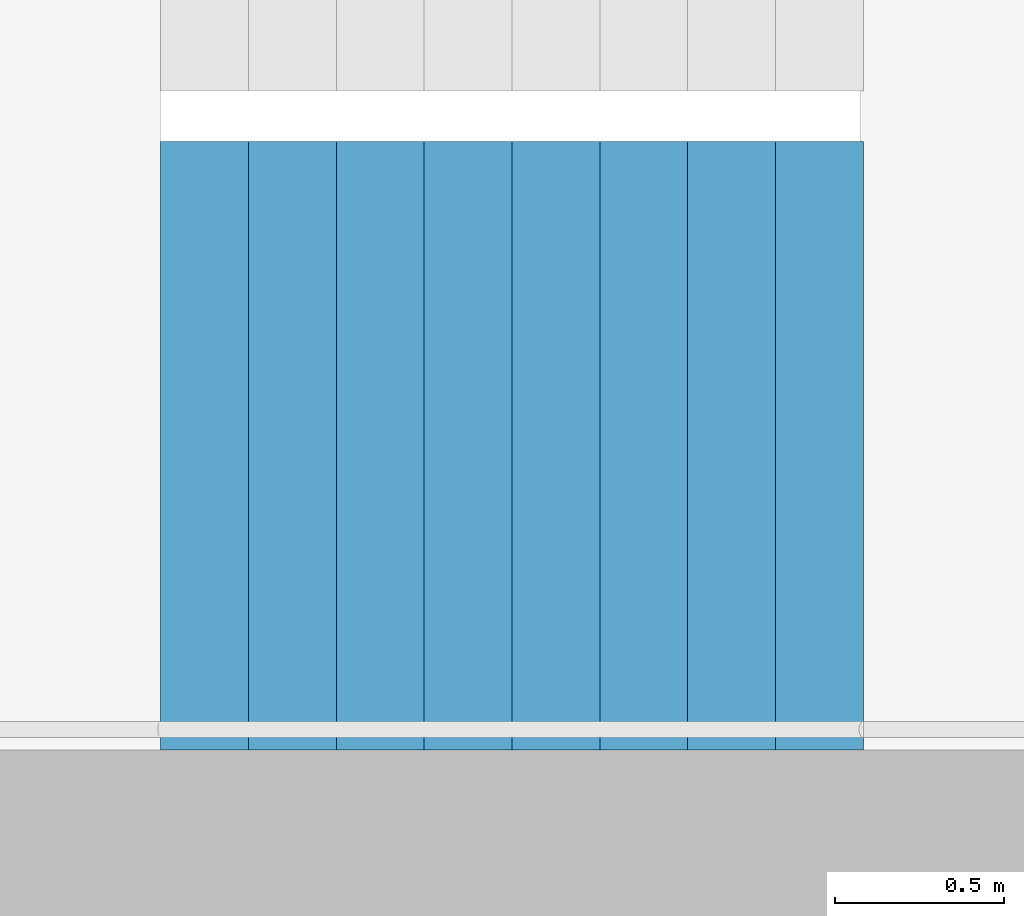
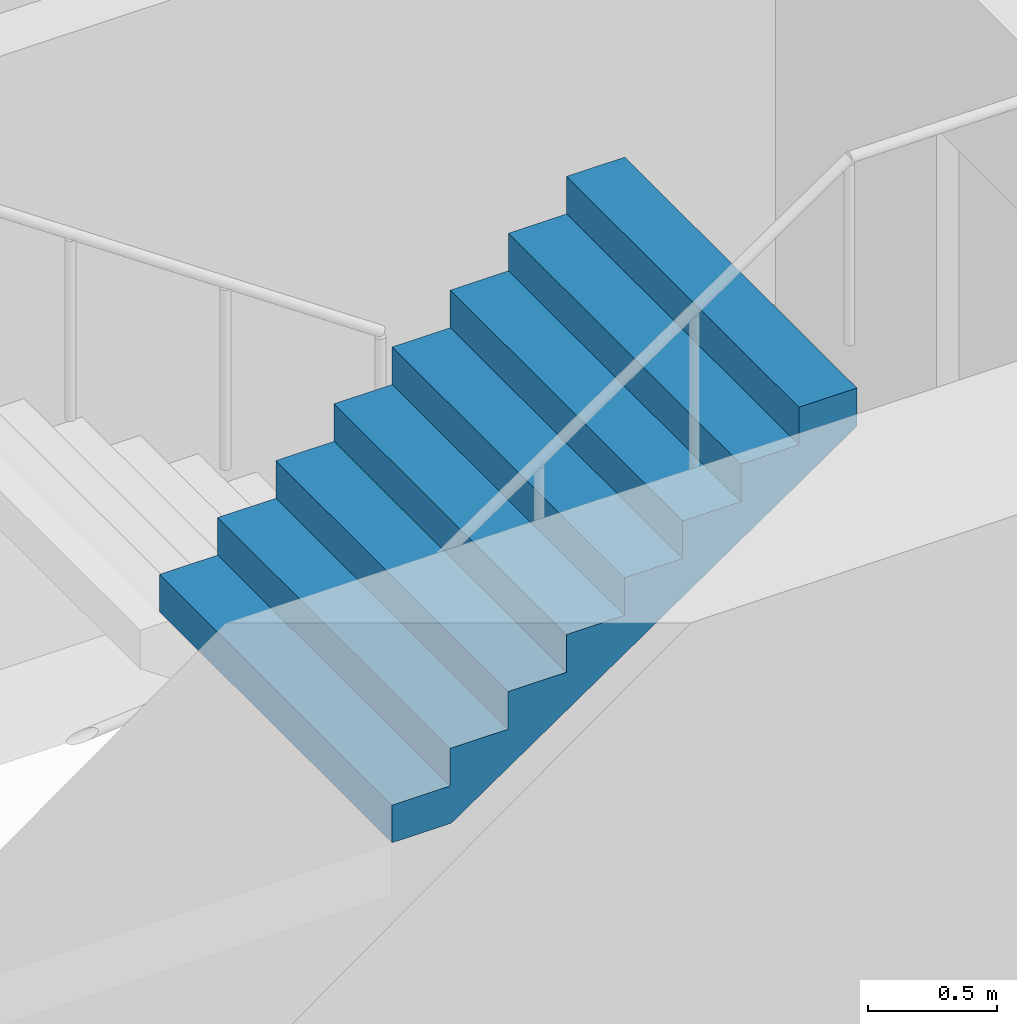
# One storey, part 18 of 26: 1 stair flight, 1 element without a shape of its own.
"""IFC4 building model written with IfcOpenShell, lengths in metres."""

from ifc_helpers import new_model, si_unit, direction, frame, origin, place, context, subcontext, project, spatial, triangles, material, type_object, element, aggregate, save


model = new_model("IFC4")

# Units and contexts
model_context = context("Model", 3, precision=1e-05, world=origin(), true_north=direction((0.0, 1.0)))
body_context = subcontext(model_context, "Body", "Model", "MODEL_VIEW")
ifc_project = project(units=[si_unit("LENGTHUNIT", "METRE"), si_unit("AREAUNIT", "SQUARE_METRE"), si_unit("VOLUMEUNIT", "CUBIC_METRE"), si_unit("PLANEANGLEUNIT", "RADIAN"), si_unit("MASSUNIT", "GRAM", prefix="KILO")], contexts=[model_context])

# Site, building, storey
site_placement = place(None, origin())
site = spatial("IfcSite", under=ifc_project, at=site_placement, CompositionType="ELEMENT")
building_placement = place(site_placement, origin())
building = spatial("IfcBuilding", under=site, at=building_placement, Name="Hakoniwa Tower and Hamabe Station Hall", CompositionType="ELEMENT")
storey_placement = place(building_placement, frame((0.0, 0.0, 225.0)))
storey = spatial("IfcBuildingStorey", under=building, at=storey_placement, Name="L64", CompositionType="ELEMENT", Elevation=225.0)

# Stair, stair flight
ifc_material_1 = material(Name="Concrete C40", Category="concrete")
stair_type = type_object("IfcStairType", Name="ESCAPE STAIR 1800", PredefinedType="HALF_TURN_STAIR", material=ifc_material_1)
stair_placement = place(storey_placement, origin())
stair = element("IfcStair", 1, at=stair_placement, inside=storey, type_object=stair_type, Name="Escape stair ST-2 L64", PredefinedType="HALF_TURN_STAIR")
ifc_material_2 = material(Name="Concrete C40", Category="concrete")
stair_flight_type = type_object("IfcStairFlightType", Name="STAIR FLIGHT 1800", PredefinedType="STRAIGHT", material=ifc_material_2)
stair_flight_placement = place(storey_placement, frame((-25.47998046875, -6.60009765625, 1.60009765625), z_axis=(0.0, 0.0, 1.0), x_axis=(1.0, 0.0, 0.0)))
stair_flight = element("IfcStairFlight", 2, at=stair_flight_placement, type_object=stair_flight_type, Name="ST-2 flight 2", NumberOfRisers=9, NumberOfTreads=8, PredefinedType="STRAIGHT", RiserHeight=0.177777778, TreadLength=0.26, context=body_context, shape_type="Tessellation", body=[
    triangles([(0.0, 0.89990234375, 0.0), (0.260009765625, 0.89990234375, 0.0), (0.265625, 0.89990234375, 0.0), (0.52001953125, 0.89990234375, 0.174072265625), (0.780029296875, 0.89990234375, 0.351806640625), (1.0400390625, 0.89990234375, 0.529541015625), (1.300048828125, 0.89990234375, 0.707275390625), (1.56005859375, 0.89990234375, 0.885009765625), (1.820068359375, 0.89990234375, 1.062744140625), (2.080078125, 0.89990234375, 1.24072265625), (2.080078125, 0.89990234375, 1.422119140625), (1.820068359375, 0.89990234375, 1.422119140625), (1.820068359375, 0.89990234375, 1.244384765625), (1.56005859375, 0.89990234375, 1.244384765625), (1.56005859375, 0.89990234375, 1.066650390625), (1.300048828125, 0.89990234375, 1.066650390625), (1.300048828125, 0.89990234375, 0.888916015625), (1.0400390625, 0.89990234375, 0.888916015625), (1.0400390625, 0.89990234375, 0.711181640625), (0.780029296875, 0.89990234375, 0.711181640625), (0.780029296875, 0.89990234375, 0.533447265625), (0.52001953125, 0.89990234375, 0.533447265625), (0.52001953125, 0.89990234375, 0.35546875), (0.265625, 0.89990234375, 0.35546875), (0.260009765625, 0.89990234375, 0.35546875), (0.260009765625, 0.89990234375, 0.177734375), (0.0, 0.89990234375, 0.177734375), (0.0, 0.06005859375, 0.0), (0.260009765625, 0.06005859375, 0.0), (0.265625, 0.06005859375, 0.0), (0.52001953125, 0.06005859375, 0.174072265625), (0.780029296875, 0.06005859375, 0.351806640625), (1.0400390625, 0.06005859375, 0.529541015625), (1.300048828125, 0.06005859375, 0.707275390625), (1.56005859375, 0.06005859375, 0.885009765625), (1.820068359375, 0.06005859375, 1.062744140625), (2.080078125, 0.06005859375, 1.24072265625), (2.080078125, 0.06005859375, 1.422119140625), (1.820068359375, 0.06005859375, 1.422119140625), (1.820068359375, 0.06005859375, 1.244384765625), (1.56005859375, 0.06005859375, 1.244384765625), (1.56005859375, 0.06005859375, 1.066650390625), (1.300048828125, 0.06005859375, 1.066650390625), (1.300048828125, 0.06005859375, 0.888916015625), (1.0400390625, 0.06005859375, 0.888916015625), (1.0400390625, 0.06005859375, 0.711181640625), (0.780029296875, 0.06005859375, 0.711181640625), (0.780029296875, 0.06005859375, 0.533447265625), (0.52001953125, 0.06005859375, 0.533447265625), (0.52001953125, 0.06005859375, 0.35546875), (0.265625, 0.06005859375, 0.35546875), (0.260009765625, 0.06005859375, 0.35546875), (0.260009765625, 0.06005859375, 0.177734375), (0.0, 0.06005859375, 0.177734375), (0.0, 0.04296875, 0.0), (0.260009765625, 0.04296875, 0.0), (0.265625, 0.04296875, 0.0), (0.52001953125, 0.04296875, 0.174072265625), (0.780029296875, 0.04296875, 0.351806640625), (1.0400390625, 0.04296875, 0.529541015625), (1.300048828125, 0.04296875, 0.707275390625), (1.56005859375, 0.04296875, 0.885009765625), (1.820068359375, 0.04296875, 1.062744140625), (2.080078125, 0.04296875, 1.24072265625), (2.080078125, 0.04296875, 1.422119140625), (1.820068359375, 0.04296875, 1.422119140625), (1.820068359375, 0.04296875, 1.244384765625), (1.56005859375, 0.04296875, 1.244384765625), (1.56005859375, 0.04296875, 1.066650390625), (1.300048828125, 0.04296875, 1.066650390625), (1.300048828125, 0.04296875, 0.888916015625), (1.0400390625, 0.04296875, 0.888916015625), (1.0400390625, 0.04296875, 0.711181640625), (0.780029296875, 0.04296875, 0.711181640625), (0.780029296875, 0.04296875, 0.533447265625), (0.52001953125, 0.04296875, 0.533447265625), (0.52001953125, 0.04296875, 0.35546875), (0.265625, 0.04296875, 0.35546875), (0.260009765625, 0.04296875, 0.35546875), (0.260009765625, 0.04296875, 0.177734375), (0.0, 0.04296875, 0.177734375), (0.0, 0.025634765625, 0.0), (0.260009765625, 0.025634765625, 0.0), (0.265625, 0.025634765625, 0.0), (0.52001953125, 0.025634765625, 0.174072265625), (0.780029296875, 0.025634765625, 0.351806640625), (1.0400390625, 0.025634765625, 0.529541015625), (1.300048828125, 0.025634765625, 0.707275390625), (1.56005859375, 0.025634765625, 0.885009765625), (1.820068359375, 0.025634765625, 1.062744140625), (2.080078125, 0.025634765625, 1.24072265625), (2.080078125, 0.025634765625, 1.422119140625), (1.820068359375, 0.025634765625, 1.422119140625), (1.820068359375, 0.025634765625, 1.244384765625), (1.56005859375, 0.025634765625, 1.244384765625), (1.56005859375, 0.025634765625, 1.066650390625), (1.300048828125, 0.025634765625, 1.066650390625), (1.300048828125, 0.025634765625, 0.888916015625), (1.0400390625, 0.025634765625, 0.888916015625), (1.0400390625, 0.025634765625, 0.711181640625), (0.780029296875, 0.025634765625, 0.711181640625), (0.780029296875, 0.025634765625, 0.533447265625), (0.52001953125, 0.025634765625, 0.533447265625), (0.52001953125, 0.025634765625, 0.35546875), (0.265625, 0.025634765625, 0.35546875), (0.260009765625, 0.025634765625, 0.35546875), (0.260009765625, 0.025634765625, 0.177734375), (0.0, 0.025634765625, 0.177734375), (0.0, 0.008544921875, 0.0), (0.260009765625, 0.008544921875, 0.0), (0.265625, 0.008544921875, 0.0), (0.52001953125, 0.008544921875, 0.174072265625), (0.780029296875, 0.008544921875, 0.351806640625), (1.0400390625, 0.008544921875, 0.529541015625), (1.300048828125, 0.008544921875, 0.707275390625), (1.56005859375, 0.008544921875, 0.885009765625), (1.820068359375, 0.008544921875, 1.062744140625), (2.080078125, 0.008544921875, 1.24072265625), (2.080078125, 0.008544921875, 1.422119140625), (1.820068359375, 0.008544921875, 1.422119140625), (1.820068359375, 0.008544921875, 1.244384765625), (1.56005859375, 0.008544921875, 1.244384765625), (1.56005859375, 0.008544921875, 1.066650390625), (1.300048828125, 0.008544921875, 1.066650390625), (1.300048828125, 0.008544921875, 0.888916015625), (1.0400390625, 0.008544921875, 0.888916015625), (1.0400390625, 0.008544921875, 0.711181640625), (0.780029296875, 0.008544921875, 0.711181640625), (0.780029296875, 0.008544921875, 0.533447265625), (0.52001953125, 0.008544921875, 0.533447265625), (0.52001953125, 0.008544921875, 0.35546875), (0.265625, 0.008544921875, 0.35546875), (0.260009765625, 0.008544921875, 0.35546875), (0.260009765625, 0.008544921875, 0.177734375), (0.0, 0.008544921875, 0.177734375), (0.0, -0.008544921875, 0.0), (0.260009765625, -0.008544921875, 0.0), (0.265625, -0.008544921875, 0.0), (0.52001953125, -0.008544921875, 0.174072265625), (0.780029296875, -0.008544921875, 0.351806640625), (1.0400390625, -0.008544921875, 0.529541015625), (1.300048828125, -0.008544921875, 0.707275390625), (1.56005859375, -0.008544921875, 0.885009765625), (1.820068359375, -0.008544921875, 1.062744140625), (2.080078125, -0.008544921875, 1.24072265625), (2.080078125, -0.008544921875, 1.422119140625), (1.820068359375, -0.008544921875, 1.422119140625), (1.820068359375, -0.008544921875, 1.244384765625), (1.56005859375, -0.008544921875, 1.244384765625), (1.56005859375, -0.008544921875, 1.066650390625), (1.300048828125, -0.008544921875, 1.066650390625), (1.300048828125, -0.008544921875, 0.888916015625), (1.0400390625, -0.008544921875, 0.888916015625), (1.0400390625, -0.008544921875, 0.711181640625), (0.780029296875, -0.008544921875, 0.711181640625), (0.780029296875, -0.008544921875, 0.533447265625), (0.52001953125, -0.008544921875, 0.533447265625), (0.52001953125, -0.008544921875, 0.35546875), (0.265625, -0.008544921875, 0.35546875), (0.260009765625, -0.008544921875, 0.35546875), (0.260009765625, -0.008544921875, 0.177734375), (0.0, -0.008544921875, 0.177734375), (0.0, -0.025634765625, 0.0), (0.260009765625, -0.025634765625, 0.0), (0.265625, -0.025634765625, 0.0), (0.52001953125, -0.025634765625, 0.174072265625), (0.780029296875, -0.025634765625, 0.351806640625), (1.0400390625, -0.025634765625, 0.529541015625), (1.300048828125, -0.025634765625, 0.707275390625), (1.56005859375, -0.025634765625, 0.885009765625), (1.820068359375, -0.025634765625, 1.062744140625), (2.080078125, -0.025634765625, 1.24072265625), (2.080078125, -0.025634765625, 1.422119140625), (1.820068359375, -0.025634765625, 1.422119140625), (1.820068359375, -0.025634765625, 1.244384765625), (1.56005859375, -0.025634765625, 1.244384765625), (1.56005859375, -0.025634765625, 1.066650390625), (1.300048828125, -0.025634765625, 1.066650390625), (1.300048828125, -0.025634765625, 0.888916015625), (1.0400390625, -0.025634765625, 0.888916015625), (1.0400390625, -0.025634765625, 0.711181640625), (0.780029296875, -0.025634765625, 0.711181640625), (0.780029296875, -0.025634765625, 0.533447265625), (0.52001953125, -0.025634765625, 0.533447265625), (0.52001953125, -0.025634765625, 0.35546875), (0.265625, -0.025634765625, 0.35546875), (0.260009765625, -0.025634765625, 0.35546875), (0.260009765625, -0.025634765625, 0.177734375), (0.0, -0.025634765625, 0.177734375), (0.0, -0.04296875, 0.0), (0.260009765625, -0.04296875, 0.0), (0.265625, -0.04296875, 0.0), (0.52001953125, -0.04296875, 0.174072265625), (0.780029296875, -0.04296875, 0.351806640625), (1.0400390625, -0.04296875, 0.529541015625), (1.300048828125, -0.04296875, 0.707275390625), (1.56005859375, -0.04296875, 0.885009765625), (1.820068359375, -0.04296875, 1.062744140625), (2.080078125, -0.04296875, 1.24072265625), (2.080078125, -0.04296875, 1.422119140625), (1.820068359375, -0.04296875, 1.422119140625), (1.820068359375, -0.04296875, 1.244384765625), (1.56005859375, -0.04296875, 1.244384765625), (1.56005859375, -0.04296875, 1.066650390625), (1.300048828125, -0.04296875, 1.066650390625), (1.300048828125, -0.04296875, 0.888916015625), (1.0400390625, -0.04296875, 0.888916015625), (1.0400390625, -0.04296875, 0.711181640625), (0.780029296875, -0.04296875, 0.711181640625), (0.780029296875, -0.04296875, 0.533447265625), (0.52001953125, -0.04296875, 0.533447265625), (0.52001953125, -0.04296875, 0.35546875), (0.265625, -0.04296875, 0.35546875), (0.260009765625, -0.04296875, 0.35546875), (0.260009765625, -0.04296875, 0.177734375), (0.0, -0.04296875, 0.177734375), (0.0, -0.06005859375, 0.0), (0.260009765625, -0.06005859375, 0.0), (0.265625, -0.06005859375, 0.0), (0.52001953125, -0.06005859375, 0.174072265625), (0.780029296875, -0.06005859375, 0.351806640625), (1.0400390625, -0.06005859375, 0.529541015625), (1.300048828125, -0.06005859375, 0.707275390625), (1.56005859375, -0.06005859375, 0.885009765625), (1.820068359375, -0.06005859375, 1.062744140625), (2.080078125, -0.06005859375, 1.24072265625), (2.080078125, -0.06005859375, 1.422119140625), (1.820068359375, -0.06005859375, 1.422119140625), (1.820068359375, -0.06005859375, 1.244384765625), (1.56005859375, -0.06005859375, 1.244384765625), (1.56005859375, -0.06005859375, 1.066650390625), (1.300048828125, -0.06005859375, 1.066650390625), (1.300048828125, -0.06005859375, 0.888916015625), (1.0400390625, -0.06005859375, 0.888916015625), (1.0400390625, -0.06005859375, 0.711181640625), (0.780029296875, -0.06005859375, 0.711181640625), (0.780029296875, -0.06005859375, 0.533447265625), (0.52001953125, -0.06005859375, 0.533447265625), (0.52001953125, -0.06005859375, 0.35546875), (0.265625, -0.06005859375, 0.35546875), (0.260009765625, -0.06005859375, 0.35546875), (0.260009765625, -0.06005859375, 0.177734375), (0.0, -0.06005859375, 0.177734375), (0.0, -0.89990234375, 0.0), (0.260009765625, -0.89990234375, 0.0), (0.265625, -0.89990234375, 0.0), (0.52001953125, -0.89990234375, 0.174072265625), (0.780029296875, -0.89990234375, 0.351806640625), (1.0400390625, -0.89990234375, 0.529541015625), (1.300048828125, -0.89990234375, 0.707275390625), (1.56005859375, -0.89990234375, 0.885009765625), (1.820068359375, -0.89990234375, 1.062744140625), (2.080078125, -0.89990234375, 1.24072265625), (2.080078125, -0.89990234375, 1.422119140625), (1.820068359375, -0.89990234375, 1.422119140625), (1.820068359375, -0.89990234375, 1.244384765625), (1.56005859375, -0.89990234375, 1.244384765625), (1.56005859375, -0.89990234375, 1.066650390625), (1.300048828125, -0.89990234375, 1.066650390625), (1.300048828125, -0.89990234375, 0.888916015625), (1.0400390625, -0.89990234375, 0.888916015625), (1.0400390625, -0.89990234375, 0.711181640625), (0.780029296875, -0.89990234375, 0.711181640625), (0.780029296875, -0.89990234375, 0.533447265625), (0.52001953125, -0.89990234375, 0.533447265625), (0.52001953125, -0.89990234375, 0.35546875), (0.265625, -0.89990234375, 0.35546875), (0.260009765625, -0.89990234375, 0.35546875), (0.260009765625, -0.89990234375, 0.177734375), (0.0, -0.89990234375, 0.177734375)], [[2, 27, 26], [245, 269, 270], [2, 1, 27], [245, 270, 244], [3, 25, 24], [246, 267, 268], [3, 26, 25], [246, 268, 269], [3, 2, 26], [246, 269, 245], [4, 24, 23], [247, 266, 267], [4, 3, 24], [247, 267, 246], [5, 22, 21], [248, 264, 265], [5, 23, 22], [248, 265, 266], [5, 4, 23], [248, 266, 247], [6, 20, 19], [249, 262, 263], [6, 21, 20], [249, 263, 264], [6, 5, 21], [249, 264, 248], [7, 18, 17], [250, 260, 261], [7, 19, 18], [250, 261, 262], [7, 6, 19], [250, 262, 249], [8, 16, 15], [251, 258, 259], [8, 17, 16], [251, 259, 260], [8, 7, 17], [251, 260, 250], [9, 14, 13], [252, 256, 257], [9, 15, 14], [252, 257, 258], [9, 8, 15], [252, 258, 251], [10, 12, 11], [253, 254, 255], [10, 13, 12], [253, 255, 256], [10, 9, 13], [253, 256, 252], [1, 2, 29], [1, 29, 28], [28, 29, 56], [28, 56, 55], [55, 56, 83], [55, 83, 82], [82, 83, 110], [82, 110, 109], [109, 110, 137], [109, 137, 136], [136, 137, 164], [136, 164, 163], [163, 164, 191], [163, 191, 190], [190, 191, 218], [190, 218, 217], [217, 218, 245], [217, 245, 244], [2, 3, 30], [2, 30, 29], [29, 30, 57], [29, 57, 56], [56, 57, 84], [56, 84, 83], [83, 84, 111], [83, 111, 110], [110, 111, 138], [110, 138, 137], [137, 138, 165], [137, 165, 164], [164, 165, 192], [164, 192, 191], [191, 192, 219], [191, 219, 218], [218, 219, 246], [218, 246, 245], [3, 4, 31], [3, 31, 30], [30, 31, 58], [30, 58, 57], [57, 58, 85], [57, 85, 84], [84, 85, 112], [84, 112, 111], [111, 112, 139], [111, 139, 138], [138, 139, 166], [138, 166, 165], [165, 166, 193], [165, 193, 192], [192, 193, 220], [192, 220, 219], [219, 220, 247], [219, 247, 246], [4, 5, 32], [4, 32, 31], [31, 32, 59], [31, 59, 58], [58, 59, 86], [58, 86, 85], [85, 86, 113], [85, 113, 112], [112, 113, 140], [112, 140, 139], [139, 140, 167], [139, 167, 166], [166, 167, 194], [166, 194, 193], [193, 194, 221], [193, 221, 220], [220, 221, 248], [220, 248, 247], [5, 6, 33], [5, 33, 32], [32, 33, 60], [32, 60, 59], [59, 60, 87], [59, 87, 86], [86, 87, 114], [86, 114, 113], [113, 114, 141], [113, 141, 140], [140, 141, 168], [140, 168, 167], [167, 168, 195], [167, 195, 194], [194, 195, 222], [194, 222, 221], [221, 222, 249], [221, 249, 248], [6, 7, 34], [6, 34, 33], [33, 34, 61], [33, 61, 60], [60, 61, 88], [60, 88, 87], [87, 88, 115], [87, 115, 114], [114, 115, 142], [114, 142, 141], [141, 142, 169], [141, 169, 168], [168, 169, 196], [168, 196, 195], [195, 196, 223], [195, 223, 222], [222, 223, 250], [222, 250, 249], [7, 8, 35], [7, 35, 34], [34, 35, 62], [34, 62, 61], [61, 62, 89], [61, 89, 88], [88, 89, 116], [88, 116, 115], [115, 116, 143], [115, 143, 142], [142, 143, 170], [142, 170, 169], [169, 170, 197], [169, 197, 196], [196, 197, 224], [196, 224, 223], [223, 224, 251], [223, 251, 250], [8, 9, 36], [8, 36, 35], [35, 36, 63], [35, 63, 62], [62, 63, 90], [62, 90, 89], [89, 90, 117], [89, 117, 116], [116, 117, 144], [116, 144, 143], [143, 144, 171], [143, 171, 170], [170, 171, 198], [170, 198, 197], [197, 198, 225], [197, 225, 224], [224, 225, 252], [224, 252, 251], [9, 10, 37], [9, 37, 36], [36, 37, 64], [36, 64, 63], [63, 64, 91], [63, 91, 90], [90, 91, 118], [90, 118, 117], [117, 118, 145], [117, 145, 144], [144, 145, 172], [144, 172, 171], [171, 172, 199], [171, 199, 198], [198, 199, 226], [198, 226, 225], [225, 226, 253], [225, 253, 252], [10, 11, 38], [10, 38, 37], [37, 38, 65], [37, 65, 64], [64, 65, 92], [64, 92, 91], [91, 92, 119], [91, 119, 118], [118, 119, 146], [118, 146, 145], [145, 146, 173], [145, 173, 172], [172, 173, 200], [172, 200, 199], [199, 200, 227], [199, 227, 226], [226, 227, 254], [226, 254, 253], [11, 12, 39], [11, 39, 38], [38, 39, 66], [38, 66, 65], [65, 66, 93], [65, 93, 92], [92, 93, 120], [92, 120, 119], [119, 120, 147], [119, 147, 146], [146, 147, 174], [146, 174, 173], [173, 174, 201], [173, 201, 200], [200, 201, 228], [200, 228, 227], [227, 228, 255], [227, 255, 254], [12, 13, 40], [12, 40, 39], [39, 40, 67], [39, 67, 66], [66, 67, 94], [66, 94, 93], [93, 94, 121], [93, 121, 120], [120, 121, 148], [120, 148, 147], [147, 148, 175], [147, 175, 174], [174, 175, 202], [174, 202, 201], [201, 202, 229], [201, 229, 228], [228, 229, 256], [228, 256, 255], [13, 14, 41], [13, 41, 40], [40, 41, 68], [40, 68, 67], [67, 68, 95], [67, 95, 94], [94, 95, 122], [94, 122, 121], [121, 122, 149], [121, 149, 148], [148, 149, 176], [148, 176, 175], [175, 176, 203], [175, 203, 202], [202, 203, 230], [202, 230, 229], [229, 230, 257], [229, 257, 256], [14, 15, 42], [14, 42, 41], [41, 42, 69], [41, 69, 68], [68, 69, 96], [68, 96, 95], [95, 96, 123], [95, 123, 122], [122, 123, 150], [122, 150, 149], [149, 150, 177], [149, 177, 176], [176, 177, 204], [176, 204, 203], [203, 204, 231], [203, 231, 230], [230, 231, 258], [230, 258, 257], [15, 16, 43], [15, 43, 42], [42, 43, 70], [42, 70, 69], [69, 70, 97], [69, 97, 96], [96, 97, 124], [96, 124, 123], [123, 124, 151], [123, 151, 150], [150, 151, 178], [150, 178, 177], [177, 178, 205], [177, 205, 204], [204, 205, 232], [204, 232, 231], [231, 232, 259], [231, 259, 258], [16, 17, 44], [16, 44, 43], [43, 44, 71], [43, 71, 70], [70, 71, 98], [70, 98, 97], [97, 98, 125], [97, 125, 124], [124, 125, 152], [124, 152, 151], [151, 152, 179], [151, 179, 178], [178, 179, 206], [178, 206, 205], [205, 206, 233], [205, 233, 232], [232, 233, 260], [232, 260, 259], [17, 18, 45], [17, 45, 44], [44, 45, 72], [44, 72, 71], [71, 72, 99], [71, 99, 98], [98, 99, 126], [98, 126, 125], [125, 126, 153], [125, 153, 152], [152, 153, 180], [152, 180, 179], [179, 180, 207], [179, 207, 206], [206, 207, 234], [206, 234, 233], [233, 234, 261], [233, 261, 260], [18, 19, 46], [18, 46, 45], [45, 46, 73], [45, 73, 72], [72, 73, 100], [72, 100, 99], [99, 100, 127], [99, 127, 126], [126, 127, 154], [126, 154, 153], [153, 154, 181], [153, 181, 180], [180, 181, 208], [180, 208, 207], [207, 208, 235], [207, 235, 234], [234, 235, 262], [234, 262, 261], [19, 20, 47], [19, 47, 46], [46, 47, 74], [46, 74, 73], [73, 74, 101], [73, 101, 100], [100, 101, 128], [100, 128, 127], [127, 128, 155], [127, 155, 154], [154, 155, 182], [154, 182, 181], [181, 182, 209], [181, 209, 208], [208, 209, 236], [208, 236, 235], [235, 236, 263], [235, 263, 262], [20, 21, 48], [20, 48, 47], [47, 48, 75], [47, 75, 74], [74, 75, 102], [74, 102, 101], [101, 102, 129], [101, 129, 128], [128, 129, 156], [128, 156, 155], [155, 156, 183], [155, 183, 182], [182, 183, 210], [182, 210, 209], [209, 210, 237], [209, 237, 236], [236, 237, 264], [236, 264, 263], [21, 22, 49], [21, 49, 48], [48, 49, 76], [48, 76, 75], [75, 76, 103], [75, 103, 102], [102, 103, 130], [102, 130, 129], [129, 130, 157], [129, 157, 156], [156, 157, 184], [156, 184, 183], [183, 184, 211], [183, 211, 210], [210, 211, 238], [210, 238, 237], [237, 238, 265], [237, 265, 264], [22, 23, 50], [22, 50, 49], [49, 50, 77], [49, 77, 76], [76, 77, 104], [76, 104, 103], [103, 104, 131], [103, 131, 130], [130, 131, 158], [130, 158, 157], [157, 158, 185], [157, 185, 184], [184, 185, 212], [184, 212, 211], [211, 212, 239], [211, 239, 238], [238, 239, 266], [238, 266, 265], [23, 24, 51], [23, 51, 50], [50, 51, 78], [50, 78, 77], [77, 78, 105], [77, 105, 104], [104, 105, 132], [104, 132, 131], [131, 132, 159], [131, 159, 158], [158, 159, 186], [158, 186, 185], [185, 186, 213], [185, 213, 212], [212, 213, 240], [212, 240, 239], [239, 240, 267], [239, 267, 266], [24, 25, 52], [24, 52, 51], [51, 52, 79], [51, 79, 78], [78, 79, 106], [78, 106, 105], [105, 106, 133], [105, 133, 132], [132, 133, 160], [132, 160, 159], [159, 160, 187], [159, 187, 186], [186, 187, 214], [186, 214, 213], [213, 214, 241], [213, 241, 240], [240, 241, 268], [240, 268, 267], [25, 26, 53], [25, 53, 52], [52, 53, 80], [52, 80, 79], [79, 80, 107], [79, 107, 106], [106, 107, 134], [106, 134, 133], [133, 134, 161], [133, 161, 160], [160, 161, 188], [160, 188, 187], [187, 188, 215], [187, 215, 214], [214, 215, 242], [214, 242, 241], [241, 242, 269], [241, 269, 268], [26, 27, 54], [26, 54, 53], [53, 54, 81], [53, 81, 80], [80, 81, 108], [80, 108, 107], [107, 108, 135], [107, 135, 134], [134, 135, 162], [134, 162, 161], [161, 162, 189], [161, 189, 188], [188, 189, 216], [188, 216, 215], [215, 216, 243], [215, 243, 242], [242, 243, 270], [242, 270, 269], [27, 1, 28], [27, 28, 54], [54, 28, 55], [54, 55, 81], [81, 55, 82], [81, 82, 108], [108, 82, 109], [108, 109, 135], [135, 109, 136], [135, 136, 162], [162, 136, 163], [162, 163, 189], [189, 163, 190], [189, 190, 216], [216, 190, 217], [216, 217, 243], [243, 217, 244], [243, 244, 270]], closed=True),
])
aggregate(stair, [stair_flight])

save(model, "model.ifc")
